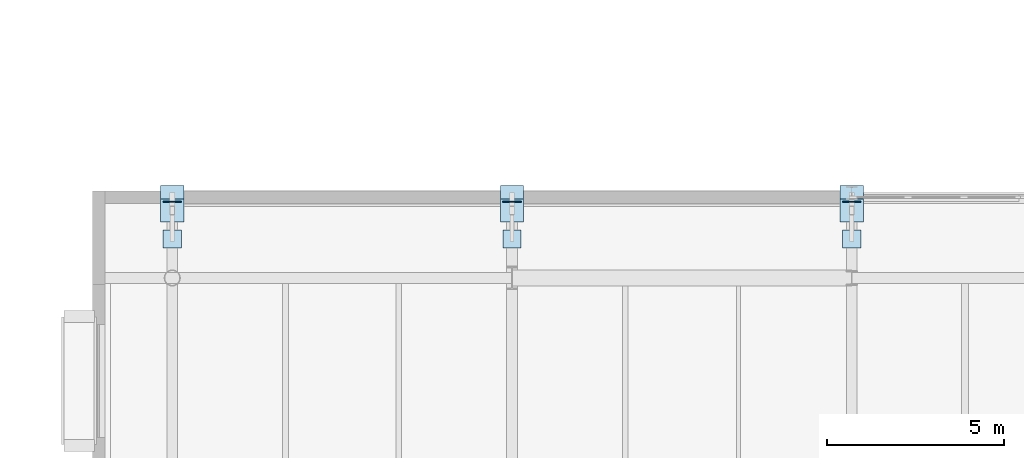
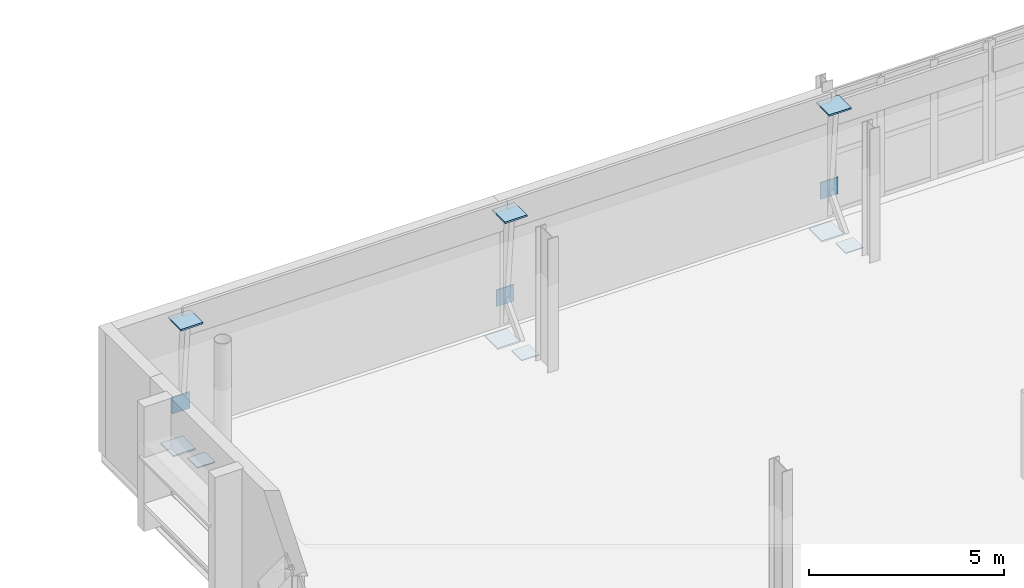
# One storey, part 50 of 90: 12 plates.
"""IFC4 building model written with IfcOpenShell, lengths in metres."""

from ifc_helpers import new_model, si_unit, direction, frame, origin, origin_2d, place, context, subcontext, project, spatial, rectangle, extrude, material, layer, layer_set, type_object, element, save


model = new_model("IFC4")

# Units and contexts
model_context = context("Model", 3, precision=1e-05, world=origin(), true_north=direction((0.0, 1.0)))
body_context = subcontext(model_context, "Body", "Model", "MODEL_VIEW")
ifc_project = project(units=[si_unit("LENGTHUNIT", "METRE"), si_unit("AREAUNIT", "SQUARE_METRE"), si_unit("VOLUMEUNIT", "CUBIC_METRE"), si_unit("PLANEANGLEUNIT", "RADIAN"), si_unit("MASSUNIT", "GRAM", prefix="KILO")], contexts=[model_context])

# Site, building, storey
site_placement = place(None, origin())
site = spatial("IfcSite", under=ifc_project, at=site_placement, CompositionType="ELEMENT")
building_placement = place(site_placement, origin())
building = spatial("IfcBuilding", under=site, at=building_placement, Name="Zereglee Splitstone Museum", CompositionType="ELEMENT")
storey_placement = place(building_placement, frame((0.0, 0.0, 4.800048828125)))
storey = spatial("IfcBuildingStorey", under=building, at=storey_placement, Name="L01", CompositionType="ELEMENT", Elevation=4.800048828125)

# Plates
ifc_material = material(Name="Steel S355J2", Category="steel")
ifc_layer_1 = layer(ifc_material, 0.030029296875)
ifc_layer_set_1 = layer_set([ifc_layer_1], Name="Steel S355J2")
plate_type_1 = type_object("IfcPlateType", Name="NP-04", PredefinedType="SHEET", material=ifc_layer_set_1)
plate_1_placement = place(storey_placement, frame((78.0, 51.5, -0.27490234375), z_axis=(0.0, 0.0, 1.0), x_axis=(1.0, 0.0, 0.0)))
element("IfcPlate", 1, at=plate_1_placement, inside=storey, type_object=plate_type_1, Name="Facet Tie Seal Plate FH-V2NW", PredefinedType="SHEET", context=body_context, shape_type="SweptSolid", body=[
    extrude(rectangle(XDim=0.52001953125, YDim=0.52001953125, at=origin_2d()), origin(), (0.0, 0.0, 1.0), 0.030029296875),
])
plate_2_placement = place(storey_placement, frame((78.0, 52.55419921875, 0.639892578125), z_axis=(0.0, 0.0, 1.0), x_axis=(1.0, 0.0, 0.0)))
element("IfcPlate", 2, at=plate_2_placement, inside=storey, type_object=plate_type_1, Name="Facet Tie Seal Plate FH-V2NW", PredefinedType="SHEET", context=body_context, shape_type="SweptSolid", body=[
    extrude(rectangle(XDim=0.52001953125, YDim=0.030029296875, at=origin_2d()), origin(), (0.0, 0.0, 1.0), 0.52001953125),
])
plate_3_placement = place(storey_placement, frame((87.60009765625, 51.5, -0.27490234375), z_axis=(0.0, 0.0, 1.0), x_axis=(1.0, 0.0, 0.0)))
element("IfcPlate", 3, at=plate_3_placement, inside=storey, type_object=plate_type_1, Name="Facet Tie Seal Plate FH-V2NW", PredefinedType="SHEET", context=body_context, shape_type="SweptSolid", body=[
    extrude(rectangle(XDim=0.52001953125, YDim=0.52001953125, at=origin_2d()), origin(), (0.0, 0.0, 1.0), 0.030029296875),
])
plate_4_placement = place(storey_placement, frame((87.60009765625, 52.55419921875, 0.639892578125), z_axis=(0.0, 0.0, 1.0), x_axis=(1.0, 0.0, 0.0)))
element("IfcPlate", 4, at=plate_4_placement, inside=storey, type_object=plate_type_1, Name="Facet Tie Seal Plate FH-V2NW", PredefinedType="SHEET", context=body_context, shape_type="SweptSolid", body=[
    extrude(rectangle(XDim=0.52001953125, YDim=0.030029296875, at=origin_2d()), origin(), (0.0, 0.0, 1.0), 0.52001953125),
])
plate_5_placement = place(storey_placement, frame((97.199951171875, 51.5, -0.27490234375), z_axis=(0.0, 0.0, 1.0), x_axis=(1.0, 0.0, 0.0)))
element("IfcPlate", 5, at=plate_5_placement, inside=storey, type_object=plate_type_1, Name="Facet Tie Seal Plate FH-V2NW", PredefinedType="SHEET", context=body_context, shape_type="SweptSolid", body=[
    extrude(rectangle(XDim=0.52001953125, YDim=0.52001953125, at=origin_2d()), origin(), (0.0, 0.0, 1.0), 0.030029296875),
])
plate_6_placement = place(storey_placement, frame((97.199951171875, 52.55419921875, 0.639892578125), z_axis=(0.0, 0.0, 1.0), x_axis=(1.0, 0.0, 0.0)))
element("IfcPlate", 6, at=plate_6_placement, inside=storey, type_object=plate_type_1, Name="Facet Tie Seal Plate FH-V2NW", PredefinedType="SHEET", context=body_context, shape_type="SweptSolid", body=[
    extrude(rectangle(XDim=0.52001953125, YDim=0.030029296875, at=origin_2d()), origin(), (0.0, 0.0, 1.0), 0.52001953125),
])
ifc_layer_2 = layer(ifc_material, 0.050048828125)
ifc_layer_set_2 = layer_set([ifc_layer_2], Name="Steel S355J2")
plate_type_2 = type_object("IfcPlateType", Name="NP-02", PredefinedType="SHEET", material=ifc_layer_set_2)
for number, where, z_axis, x_axis, name in (
    (7, (78.0, 52.6865234375, -0.5751953125), (0.0, 0.0, 1.0), (1.0, 0.0, 0.0), "Facet Strut Seal Plate FH-V2NW"),
    (8, (78.0, 52.304931640625, 3.60498046875), (0.0, 0.0, 1.0), (1.0, 0.0, 0.0), "Facet Strut Seal Plate FH-V2NW"),
    (9, (87.60009765625, 52.6865234375, -0.5751953125), (0.0, 0.0, 1.0), (1.0, 0.0, 0.0), "Facet Strut Seal Plate FH-V2NW"),
    (10, (87.60009765625, 52.304931640625, 3.60498046875), (0.0, 0.0, 1.0), (1.0, 0.0, 0.0), "Facet Strut Seal Plate FH-V2NW"),
    (11, (97.199951171875, 52.6865234375, -0.5751953125), (0.0, 0.0, 1.0), (1.0, 0.0, 0.0), "Facet Strut Seal Plate FH-V2NW"),
    (12, (97.199951171875, 52.304931640625, 3.60498046875), (0.0, 0.0, 1.0), (1.0, 0.0, 0.0), "Facet Strut Seal Plate FH-V2NW"),
):
    element("IfcPlate", number, at=place(storey_placement, frame(where, z_axis=z_axis, x_axis=x_axis)), inside=storey, type_object=plate_type_2, Name=name, PredefinedType="SHEET", context=body_context, shape_type="SweptSolid", body=[
        extrude(rectangle(XDim=0.659912109375, YDim=0.659912109375, at=origin_2d()), origin(), (0.0, 0.0, 1.0), 0.050048828125),
    ])

save(model, "model.ifc")
